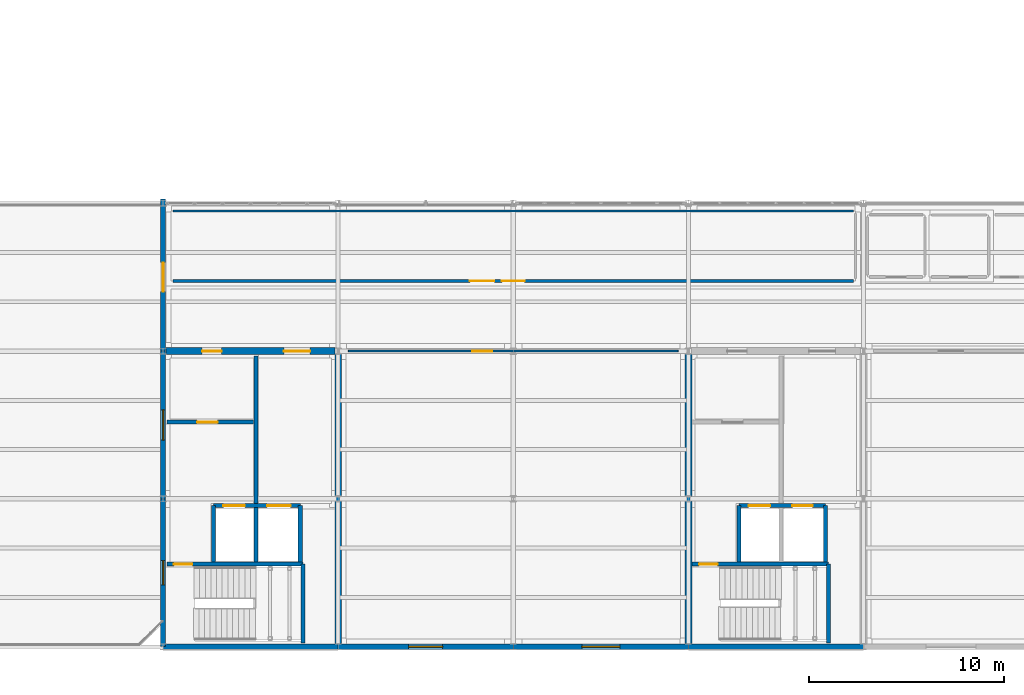
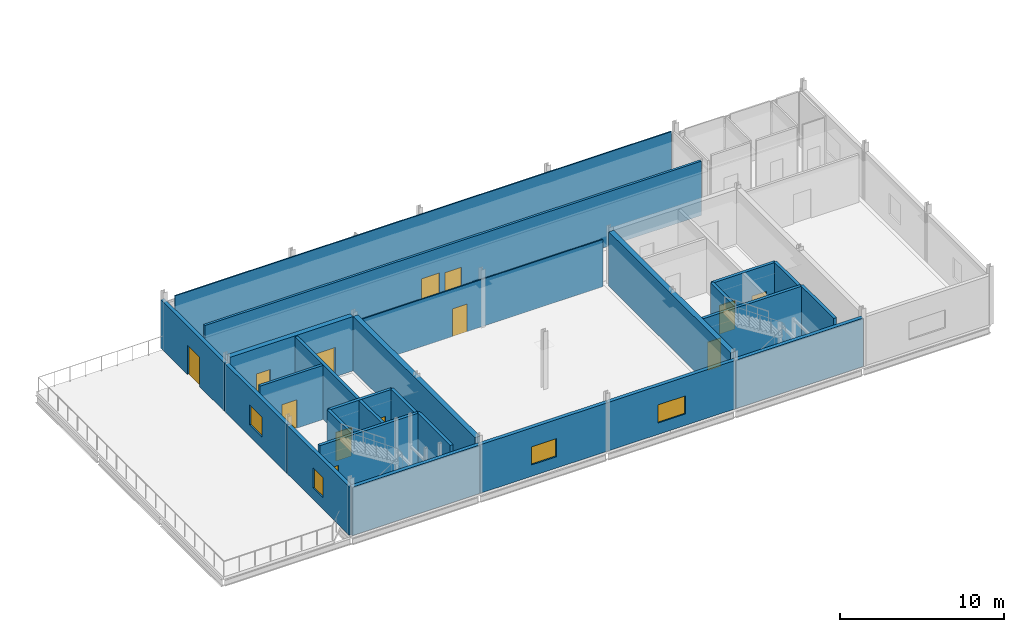
# One storey, part 41 of 48: 25 walls, 13 doors, 4 windows, 17 openings.
"""IFC4 building model written with IfcOpenShell, lengths in metres."""

from ifc_helpers import new_model, si_unit, direction, frame, frame_2d, origin, place, context, subcontext, project, spatial, rectangle, extrude, material, layer, layer_set, type_object, element, fill, save


model = new_model("IFC4")

# Units and contexts
model_context = context("Model", 3, precision=1e-05, world=origin(), true_north=direction((0.0, 1.0)))
body_context = subcontext(model_context, "Body", "Model", "MODEL_VIEW")
ifc_project = project(units=[si_unit("LENGTHUNIT", "METRE"), si_unit("AREAUNIT", "SQUARE_METRE"), si_unit("VOLUMEUNIT", "CUBIC_METRE"), si_unit("PLANEANGLEUNIT", "RADIAN"), si_unit("MASSUNIT", "GRAM", prefix="KILO")], contexts=[model_context])

# Site, building, storey
site_placement = place(None, origin())
site = spatial("IfcSite", under=ifc_project, at=site_placement, CompositionType="ELEMENT")
building_placement = place(site_placement, origin())
building = spatial("IfcBuilding", under=site, at=building_placement, Name="Caisbarro Railhouse Central Library", CompositionType="ELEMENT")
storey_placement = place(building_placement, frame((0.0, 0.0, 18.0)))
storey = spatial("IfcBuildingStorey", under=building, at=storey_placement, Name="L04", CompositionType="ELEMENT", Elevation=18.0)

# Wall, openings, doors
ifc_material_1 = material(Name="Concrete C40", Category="concrete")
ifc_layer_1 = layer(ifc_material_1, 0.35009765625, Name="Concrete C40")
ifc_layer_set_1 = layer_set([ifc_layer_1], Name="Concrete C40")
wall_type_1 = type_object("IfcWallType", Name="WAL-CW35", PredefinedType="SHEAR", material=ifc_layer_set_1)
wall_1_placement = place(storey_placement, frame((63.159912109375, 15.199951171875, 0.0), z_axis=(0.0, 0.0, 1.0), x_axis=(1.0, 0.0, 0.0)))
wall_1 = element("IfcWall", 1, at=wall_1_placement, inside=storey, type_object=wall_type_1, Name="CW35 RC core shear wall L04 #16", PredefinedType="SHEAR", context=body_context, shape_type="SweptSolid", body=[
    extrude(rectangle(XDim=8.68017578125, YDim=0.35009765625, at=frame_2d((4.340087890625, 0.0))), origin(), (0.0, 0.0, 1.0), 4.0400390625),
])
opening_1_placement = place(wall_1_placement, frame((1.85009765625, 0.0, 0.0)))
opening_1 = element("IfcOpeningElement", 2, at=opening_1_placement, cuts=wall_1, Name="Opening FD05", PredefinedType="OPENING", context=body_context, shape_type="SweptSolid", body=[
    extrude(rectangle(XDim=1.0, YDim=2.14990234375, at=frame_2d((0.5, 1.074951171875))), frame((0.0, 0.18505859375, 0.0), z_axis=(0.0, -1.0, 0.0), x_axis=(1.0, 0.0, 0.0)), (0.0, 0.0, 1.0), 0.3701171875),
])
opening_2_placement = place(wall_1_placement, frame((6.050048828125, 0.0, 0.0)))
opening_2 = element("IfcOpeningElement", 3, at=opening_2_placement, cuts=wall_1, Name="Opening FD06", PredefinedType="OPENING", context=body_context, shape_type="SweptSolid", body=[
    extrude(rectangle(XDim=1.35009765625, YDim=2.179931640625, at=frame_2d((0.675048828125, 1.08984375))), frame((0.0, 0.18505859375, 0.0), z_axis=(0.0, -1.0, 0.0), x_axis=(1.0, 0.0, 0.0)), (0.0, 0.0, 1.0), 0.3701171875),
])
ifc_material_2 = material(Name="Fire-rated painted galvanised steel", Category="steel")
door_type_1 = type_object("IfcDoorType", Name="DR-FD05", OperationType="NOTDEFINED", PredefinedType="DOOR", material=ifc_material_2)
door_1_placement = place(opening_1_placement, origin())
door_1 = element("IfcDoor", 4, at=door_1_placement, inside=storey, type_object=door_type_1, Name="Core K1 Vestibule Door FD05 L04-035", OperationType="SINGLE_SWING_LEFT", OverallHeight=2.14990234375, OverallWidth=1.0, PredefinedType="DOOR", context=body_context, shape_type="SweptSolid", body=[
    extrude(rectangle(XDim=1.0, YDim=2.14990234375, at=frame_2d((0.5, 1.074951171875))), frame((0.0, 0.02490234375, 0.0), z_axis=(0.0, -1.0, 0.0), x_axis=(1.0, 0.0, 0.0)), (0.0, 0.0, 1.0), 0.050048828125),
])
fill(opening_1, door_1)
door_type_2 = type_object("IfcDoorType", Name="DR-FD06", OperationType="NOTDEFINED", PredefinedType="DOOR", material=ifc_material_2)
door_2_placement = place(opening_2_placement, origin())
door_2 = element("IfcDoor", 5, at=door_2_placement, inside=storey, type_object=door_type_2, Name="Core K1 Lift Lobby Door FD06 L04-036", OperationType="SINGLE_SWING_RIGHT", OverallHeight=2.179931640625, OverallWidth=1.35009765625, PredefinedType="DOOR", context=body_context, shape_type="SweptSolid", body=[
    extrude(rectangle(XDim=1.35009765625, YDim=2.179931640625, at=frame_2d((0.675048828125, 1.08984375))), frame((0.0, 0.02490234375, 0.0), z_axis=(0.0, -1.0, 0.0), x_axis=(1.0, 0.0, 0.0)), (0.0, 0.0, 1.0), 0.050048828125),
])
fill(opening_2, door_2)

# Walls
for number, where, z_axis, x_axis, name in (
    (6, (72.0, 0.159912109375, 0.0), (0.0, 0.0, 1.0), (0.0, 1.0, 0.0), "CW35 RC core shear wall L04 #17"),
    (7, (90.0, 0.159912109375, 0.0), (0.0, 0.0, 1.0), (0.0, 1.0, 0.0), "CW35 RC core shear wall L04 #36"),
):
    element("IfcWall", number, at=place(storey_placement, frame(where, z_axis=z_axis, x_axis=x_axis)), inside=storey, type_object=wall_type_1, Name=name, PredefinedType="SHEAR", context=body_context, shape_type="SweptSolid", body=[
        extrude(rectangle(XDim=14.880126953125, YDim=0.35009765625, at=frame_2d((7.43994140625, 0.0))), origin(), (0.0, 0.0, 1.0), 4.0400390625),
    ])
ifc_material_3 = material(Name="Concrete C35 insulated architectural precast", Category="concrete")
ifc_layer_2 = layer(ifc_material_3, 0.260009765625, Name="Concrete C35 insulated architectural precast")
ifc_layer_set_2 = layer_set([ifc_layer_2], Name="Concrete C35 insulated architectural precast")
wall_type_2 = type_object("IfcWallType", Name="WAL-EW26", PredefinedType="STANDARD", material=ifc_layer_set_2)
wall_2_placement = place(storey_placement, frame((63.0, 0.0, 0.0), z_axis=(0.0, 0.0, 1.0), x_axis=(1.0, 0.0, 0.0)))
element("IfcWall", 8, at=wall_2_placement, inside=storey, type_object=wall_type_2, Name="EW26 exterior wall L04 #117", PredefinedType="STANDARD", context=body_context, shape_type="SweptSolid", body=[
    extrude(rectangle(XDim=9.0, YDim=0.260009765625, at=frame_2d((4.5, 0.0))), origin(), (0.0, 0.0, 1.0), 3.611083984375),
])

# Wall, opening, window
wall_3_placement = place(storey_placement, frame((72.0, 0.0, 0.0), z_axis=(0.0, 0.0, 1.0), x_axis=(1.0, 0.0, 0.0)))
wall_3 = element("IfcWall", 9, at=wall_3_placement, inside=storey, type_object=wall_type_2, Name="EW26 exterior wall L04 #118", PredefinedType="STANDARD", context=body_context, shape_type="SweptSolid", body=[
    extrude(rectangle(XDim=9.0, YDim=0.260009765625, at=frame_2d((4.5, 0.0))), origin(), (0.0, 0.0, 1.0), 3.611083984375),
])
opening_3_placement = place(wall_3_placement, frame((3.625, 0.0, 0.85009765625)))
opening_3 = element("IfcOpeningElement", 10, at=opening_3_placement, cuts=wall_3, Name="Opening W15", PredefinedType="OPENING", context=body_context, shape_type="SweptSolid", body=[
    extrude(rectangle(XDim=1.75, YDim=1.35009765625, at=frame_2d((0.875, 0.675048828125))), frame((0.0, 0.14013671875, 0.0), z_axis=(0.0, -1.0, 0.0), x_axis=(1.0, 0.0, 0.0)), (0.0, 0.0, 1.0), 0.280029296875),
])
ifc_material_4 = material(Name="Double low-e laminated solar-control glass", Category="glass")
window_type_1 = type_object("IfcWindowType", Name="WIN-W15", PartitioningType="SINGLE_PANEL", PredefinedType="WINDOW", material=ifc_material_4)
window_1_placement = place(opening_3_placement, origin())
window_1 = element("IfcWindow", 11, at=window_1_placement, inside=storey, type_object=window_type_1, Name="W15 window L04-037", OverallHeight=1.35009765625, OverallWidth=1.75, PartitioningType="SINGLE_PANEL", PredefinedType="WINDOW", context=body_context, shape_type="SweptSolid", body=[
    extrude(rectangle(XDim=1.75, YDim=1.35009765625, at=frame_2d((0.875, 0.675048828125))), frame((0.0, 0.030029296875, 0.0), z_axis=(0.0, -1.0, 0.0), x_axis=(1.0, 0.0, 0.0)), (0.0, 0.0, 1.0), 0.06005859375),
])
fill(opening_3, window_1)

wall_4_placement = place(storey_placement, frame((81.0, 0.0, 0.0), z_axis=(0.0, 0.0, 1.0), x_axis=(1.0, 0.0, 0.0)))
wall_4 = element("IfcWall", 12, at=wall_4_placement, inside=storey, type_object=wall_type_2, Name="EW26 exterior wall L04 #119", PredefinedType="STANDARD", context=body_context, shape_type="SweptSolid", body=[
    extrude(rectangle(XDim=9.0, YDim=0.260009765625, at=frame_2d((4.5, 0.0))), origin(), (0.0, 0.0, 1.0), 3.611083984375),
])
opening_4_placement = place(wall_4_placement, frame((3.52490234375, 0.0, 0.85009765625)))
opening_4 = element("IfcOpeningElement", 13, at=opening_4_placement, cuts=wall_4, Name="Opening W16", PredefinedType="OPENING", context=body_context, shape_type="SweptSolid", body=[
    extrude(rectangle(XDim=1.949951171875, YDim=1.35009765625, at=frame_2d((0.97509765625, 0.675048828125))), frame((0.0, 0.14013671875, 0.0), z_axis=(0.0, -1.0, 0.0), x_axis=(1.0, 0.0, 0.0)), (0.0, 0.0, 1.0), 0.280029296875),
])
window_type_2 = type_object("IfcWindowType", Name="WIN-W16", PartitioningType="SINGLE_PANEL", PredefinedType="WINDOW", material=ifc_material_4)
window_2_placement = place(opening_4_placement, origin())
window_2 = element("IfcWindow", 14, at=window_2_placement, inside=storey, type_object=window_type_2, Name="W16 window L04-038", OverallHeight=1.35009765625, OverallWidth=1.949951171875, PartitioningType="SINGLE_PANEL", PredefinedType="WINDOW", context=body_context, shape_type="SweptSolid", body=[
    extrude(rectangle(XDim=1.949951171875, YDim=1.35009765625, at=frame_2d((0.97509765625, 0.675048828125))), frame((0.0, 0.030029296875, 0.0), z_axis=(0.0, -1.0, 0.0), x_axis=(1.0, 0.0, 0.0)), (0.0, 0.0, 1.0), 0.06005859375),
])
fill(opening_4, window_2)

# Wall
wall_5_placement = place(storey_placement, frame((90.0, 0.0, 0.0), z_axis=(0.0, 0.0, 1.0), x_axis=(1.0, 0.0, 0.0)))
element("IfcWall", 15, at=wall_5_placement, inside=storey, type_object=wall_type_2, Name="EW26 exterior wall L04 #120", PredefinedType="STANDARD", context=body_context, shape_type="SweptSolid", body=[
    extrude(rectangle(XDim=9.0, YDim=0.260009765625, at=frame_2d((4.5, 0.0))), origin(), (0.0, 0.0, 1.0), 3.611083984375),
])

# Wall, opening, window
wall_6_placement = place(storey_placement, frame((63.0, 0.0, 0.0), z_axis=(0.0, 0.0, 1.0), x_axis=(0.0, 1.0, 0.0)))
wall_6 = element("IfcWall", 16, at=wall_6_placement, inside=storey, type_object=wall_type_2, Name="EW26 exterior wall L04 #123", PredefinedType="STANDARD", context=body_context, shape_type="SweptSolid", body=[
    extrude(rectangle(XDim=7.60009765625, YDim=0.260009765625, at=frame_2d((3.800048828125, 0.0))), origin(), (0.0, 0.0, 1.0), 3.59912109375),
])
opening_5_placement = place(wall_6_placement, frame((3.175048828125, 0.0, 0.85009765625)))
opening_5 = element("IfcOpeningElement", 17, at=opening_5_placement, cuts=wall_6, Name="Opening W20", PredefinedType="OPENING", context=body_context, shape_type="SweptSolid", body=[
    extrude(rectangle(XDim=1.25, YDim=1.5, at=frame_2d((0.625, 0.75))), frame((0.0, 0.14013671875, 0.0), z_axis=(0.0, -1.0, 0.0), x_axis=(1.0, 0.0, 0.0)), (0.0, 0.0, 1.0), 0.280029296875),
])
window_type_3 = type_object("IfcWindowType", Name="WIN-W20", PartitioningType="SINGLE_PANEL", PredefinedType="WINDOW", material=ifc_material_4)
window_3_placement = place(opening_5_placement, origin())
window_3 = element("IfcWindow", 18, at=window_3_placement, inside=storey, type_object=window_type_3, Name="W20 window L04-041", OverallHeight=1.5, OverallWidth=1.25, PartitioningType="SINGLE_PANEL", PredefinedType="WINDOW", context=body_context, shape_type="SweptSolid", body=[
    extrude(rectangle(XDim=1.25, YDim=1.5, at=frame_2d((0.625, 0.75))), frame((0.0, 0.030029296875, 0.0), z_axis=(0.0, -1.0, 0.0), x_axis=(1.0, 0.0, 0.0)), (0.0, 0.0, 1.0), 0.06005859375),
])
fill(opening_5, window_3)

wall_7_placement = place(storey_placement, frame((63.0, 7.60009765625, 0.0), z_axis=(0.0, 0.0, 1.0), x_axis=(0.0, 1.0, 0.0)))
wall_7 = element("IfcWall", 19, at=wall_7_placement, inside=storey, type_object=wall_type_2, Name="EW26 exterior wall L04 #125", PredefinedType="STANDARD", context=body_context, shape_type="SweptSolid", body=[
    extrude(rectangle(XDim=7.599853515625, YDim=0.260009765625, at=frame_2d((3.7998046875, 0.0))), origin(), (0.0, 0.0, 1.0), 3.59912109375),
])
opening_6_placement = place(wall_7_placement, frame((3.02490234375, 0.0, 0.85009765625)))
opening_6 = element("IfcOpeningElement", 20, at=opening_6_placement, cuts=wall_7, Name="Opening W22", PredefinedType="OPENING", context=body_context, shape_type="SweptSolid", body=[
    extrude(rectangle(XDim=1.550048828125, YDim=1.5, at=frame_2d((0.77490234375, 0.75))), frame((0.0, 0.14013671875, 0.0), z_axis=(0.0, -1.0, 0.0), x_axis=(1.0, 0.0, 0.0)), (0.0, 0.0, 1.0), 0.280029296875),
])
window_type_4 = type_object("IfcWindowType", Name="WIN-W22", PartitioningType="SINGLE_PANEL", PredefinedType="WINDOW", material=ifc_material_4)
window_4_placement = place(opening_6_placement, origin())
window_4 = element("IfcWindow", 21, at=window_4_placement, inside=storey, type_object=window_type_4, Name="W22 window L04-043", OverallHeight=1.5, OverallWidth=1.550048828125, PartitioningType="SINGLE_PANEL", PredefinedType="WINDOW", context=body_context, shape_type="SweptSolid", body=[
    extrude(rectangle(XDim=1.550048828125, YDim=1.5, at=frame_2d((0.77490234375, 0.75))), frame((0.0, 0.030029296875, 0.0), z_axis=(0.0, -1.0, 0.0), x_axis=(1.0, 0.0, 0.0)), (0.0, 0.0, 1.0), 0.06005859375),
])
fill(opening_6, window_4)

# Wall, opening, door
wall_8_placement = place(storey_placement, frame((63.0, 15.199951171875, 0.0), z_axis=(0.0, 0.0, 1.0), x_axis=(0.0, 1.0, 0.0)))
wall_8 = element("IfcWall", 22, at=wall_8_placement, inside=storey, type_object=wall_type_2, Name="EW26 exterior wall L04 #127", PredefinedType="STANDARD", context=body_context, shape_type="SweptSolid", body=[
    extrude(rectangle(XDim=7.81005859375, YDim=0.260009765625, at=frame_2d((3.905029296875, 0.0))), origin(), (0.0, 0.0, 1.0), 3.59912109375),
])
opening_7_placement = place(wall_8_placement, frame((3.050048828125, 0.0, 0.0)))
opening_7 = element("IfcOpeningElement", 23, at=opening_7_placement, cuts=wall_8, Name="Opening TD02", PredefinedType="OPENING", context=body_context, shape_type="SweptSolid", body=[
    extrude(rectangle(XDim=1.5, YDim=2.179931640625, at=frame_2d((0.75, 1.08984375))), frame((0.0, 0.14013671875, 0.0), z_axis=(0.0, -1.0, 0.0), x_axis=(1.0, 0.0, 0.0)), (0.0, 0.0, 1.0), 0.280029296875),
])
ifc_material_5 = material(Name="Thermally broken anodised aluminium and safety glass", Category="aluminium")
door_type_3 = type_object("IfcDoorType", Name="DR-TD02", OperationType="NOTDEFINED", PredefinedType="DOOR", material=ifc_material_5)
door_3_placement = place(opening_7_placement, origin())
door_3 = element("IfcDoor", 24, at=door_3_placement, inside=storey, type_object=door_type_3, Name="Terrace Door TD02 L04-23", OperationType="SINGLE_SWING_RIGHT", OverallHeight=2.179931640625, OverallWidth=1.5, PredefinedType="DOOR", context=body_context, shape_type="SweptSolid", body=[
    extrude(rectangle(XDim=1.5, YDim=2.179931640625, at=frame_2d((0.75, 1.08984375))), frame((0.0, 0.02490234375, 0.0), z_axis=(0.0, -1.0, 0.0), x_axis=(1.0, 0.0, 0.0)), (0.0, 0.0, 1.0), 0.050048828125),
])
fill(opening_7, door_3)

ifc_material_6 = material(Name="Acoustic gypsum board on galvanised steel studs", Category="steel")
ifc_layer_3 = layer(ifc_material_6, 0.090087890625, Name="Acoustic gypsum board on galvanised steel studs")
ifc_layer_set_3 = layer_set([ifc_layer_3], Name="Acoustic gypsum board on galvanised steel studs")
wall_type_3 = type_object("IfcWallType", Name="WAL-IW09", PredefinedType="PARTITIONING", material=ifc_layer_set_3)
wall_9_placement = place(storey_placement, frame((72.52001953125, 15.199951171875, 0.0), z_axis=(0.0, 0.0, 1.0), x_axis=(1.0, 0.0, 0.0)))
wall_9 = element("IfcWall", 25, at=wall_9_placement, inside=storey, type_object=wall_type_3, Name="IW09 partition wall L04 #604", PredefinedType="PARTITIONING", context=body_context, shape_type="SweptSolid", body=[
    extrude(rectangle(XDim=16.9599609375, YDim=0.090087890625, at=frame_2d((8.47998046875, 0.0))), origin(), (0.0, 0.0, 1.0), 3.52392578125),
])
opening_8_placement = place(wall_9_placement, frame((6.360107421875, 0.0, 0.0)))
opening_8 = element("IfcOpeningElement", 26, at=opening_8_placement, cuts=wall_9, Name="Opening ID05", PredefinedType="OPENING", context=body_context, shape_type="SweptSolid", body=[
    extrude(rectangle(XDim=1.0400390625, YDim=2.06005859375, at=frame_2d((0.52001953125, 1.030029296875))), frame((0.0, 0.05517578125, 0.0), z_axis=(0.0, -1.0, 0.0), x_axis=(1.0, 0.0, 0.0)), (0.0, 0.0, 1.0), 0.110107421875),
])
ifc_material_7 = material(Name="Solid-core tropical hardwood veneer", Category="wood")
door_type_4 = type_object("IfcDoorType", Name="DR-ID05", OperationType="NOTDEFINED", PredefinedType="DOOR", material=ifc_material_7)
door_4_placement = place(opening_8_placement, origin())
door_4 = element("IfcDoor", 27, at=door_4_placement, inside=storey, type_object=door_type_4, Name="Compact Mobile Shelving Hall Door ID05 L04-333", OperationType="SINGLE_SWING_LEFT", OverallHeight=2.06005859375, OverallWidth=1.0400390625, PredefinedType="DOOR", context=body_context, shape_type="SweptSolid", body=[
    extrude(rectangle(XDim=1.0400390625, YDim=2.06005859375, at=frame_2d((0.52001953125, 1.030029296875))), frame((0.0, 0.02490234375, 0.0), z_axis=(0.0, -1.0, 0.0), x_axis=(1.0, 0.0, 0.0)), (0.0, 0.0, 1.0), 0.050048828125),
])
fill(opening_8, door_4)

# Wall
wall_10_placement = place(storey_placement, frame((63.52001953125, 22.39990234375, 0.0), z_axis=(0.0, 0.0, 1.0), x_axis=(1.0, 0.0, 0.0)))
element("IfcWall", 28, at=wall_10_placement, inside=storey, type_object=wall_type_3, Name="IW09 partition wall L04 #608", PredefinedType="PARTITIONING", context=body_context, shape_type="SweptSolid", body=[
    extrude(rectangle(XDim=34.9599609375, YDim=0.090087890625, at=frame_2d((17.47998046875, 0.0))), origin(), (0.0, 0.0, 1.0), 4.0400390625),
])

# Wall, openings, doors
ifc_material_8 = material(Name="Plastered cellular concrete masonry", Category="masonry")
ifc_layer_4 = layer(ifc_material_8, 0.169921875, Name="Plastered cellular concrete masonry")
ifc_layer_set_4 = layer_set([ifc_layer_4], Name="Plastered cellular concrete masonry")
wall_type_4 = type_object("IfcWallType", Name="WAL-IW17", PredefinedType="PARTITIONING", material=ifc_layer_set_4)
wall_11_placement = place(storey_placement, frame((63.52001953125, 18.800048828125, 0.0), z_axis=(0.0, 0.0, 1.0), x_axis=(1.0, 0.0, 0.0)))
wall_11 = element("IfcWall", 29, at=wall_11_placement, inside=storey, type_object=wall_type_4, Name="IW17 partition wall L04 #606", PredefinedType="PARTITIONING", context=body_context, shape_type="SweptSolid", body=[
    extrude(rectangle(XDim=34.9599609375, YDim=0.169921875, at=frame_2d((17.47998046875, 0.0))), origin(), (0.0, 0.0, 1.0), 4.0400390625),
])
opening_9_placement = place(wall_11_placement, frame((16.889892578125, 0.0, 0.0)))
opening_9 = element("IfcOpeningElement", 30, at=opening_9_placement, cuts=wall_11, Name="Opening ID07", PredefinedType="OPENING", context=body_context, shape_type="SweptSolid", body=[
    extrude(rectangle(XDim=1.179931640625, YDim=2.06005859375, at=frame_2d((0.58984375, 1.030029296875))), frame((0.0, 0.094970703125, 0.0), z_axis=(0.0, -1.0, 0.0), x_axis=(1.0, 0.0, 0.0)), (0.0, 0.0, 1.0), 0.18994140625),
])
opening_10_placement = place(wall_11_placement, frame((15.2548828125, 0.0, 0.0)))
opening_10 = element("IfcOpeningElement", 31, at=opening_10_placement, cuts=wall_11, Name="Opening FD04", PredefinedType="OPENING", context=body_context, shape_type="SweptSolid", body=[
    extrude(rectangle(XDim=1.25, YDim=2.179931640625, at=frame_2d((0.625, 1.08984375))), frame((0.0, 0.094970703125, 0.0), z_axis=(0.0, -1.0, 0.0), x_axis=(1.0, 0.0, 0.0)), (0.0, 0.0, 1.0), 0.18994140625),
])
door_type_5 = type_object("IfcDoorType", Name="DR-FD04", OperationType="NOTDEFINED", PredefinedType="DOOR", material=ifc_material_2)
door_5_placement = place(opening_10_placement, origin())
door_5 = element("IfcDoor", 32, at=door_5_placement, inside=storey, type_object=door_type_5, Name="Compact Archive Corridor L04 Door FD04 L04-344", OperationType="SINGLE_SWING_RIGHT", OverallHeight=2.179931640625, OverallWidth=1.25, PredefinedType="DOOR", context=body_context, shape_type="SweptSolid", body=[
    extrude(rectangle(XDim=1.25, YDim=2.179931640625, at=frame_2d((0.625, 1.08984375))), frame((0.0, 0.02490234375, 0.0), z_axis=(0.0, -1.0, 0.0), x_axis=(1.0, 0.0, 0.0)), (0.0, 0.0, 1.0), 0.050048828125),
])
fill(opening_10, door_5)
door_type_6 = type_object("IfcDoorType", Name="DR-ID07", OperationType="NOTDEFINED", PredefinedType="DOOR", material=ifc_material_7)
door_6_placement = place(opening_9_placement, origin())
door_6 = element("IfcDoor", 33, at=door_6_placement, inside=storey, type_object=door_type_6, Name="Archival Appraisal Office Door ID07 L04-335", OperationType="SINGLE_SWING_LEFT", OverallHeight=2.06005859375, OverallWidth=1.179931640625, PredefinedType="DOOR", context=body_context, shape_type="SweptSolid", body=[
    extrude(rectangle(XDim=1.179931640625, YDim=2.06005859375, at=frame_2d((0.58984375, 1.030029296875))), frame((0.0, 0.02490234375, 0.0), z_axis=(0.0, -1.0, 0.0), x_axis=(1.0, 0.0, 0.0)), (0.0, 0.0, 1.0), 0.050048828125),
])
fill(opening_9, door_6)

# Wall, opening, door
ifc_layer_5 = layer(ifc_material_8, 0.18994140625, Name="Plastered cellular concrete masonry")
ifc_layer_set_5 = layer_set([ifc_layer_5], Name="Plastered cellular concrete masonry")
wall_type_5 = type_object("IfcWallType", Name="WAL-SW19", PredefinedType="SOLIDWALL", material=ifc_layer_set_5)
wall_12_placement = place(storey_placement, frame((63.199951171875, 11.550048828125, 0.0), z_axis=(0.0, 0.0, 1.0), x_axis=(1.0, 0.0, 0.0)))
wall_12 = element("IfcWall", 34, at=wall_12_placement, inside=storey, type_object=wall_type_5, Name="SW19 partition wall L04 #42", PredefinedType="SOLIDWALL", context=body_context, shape_type="SweptSolid", body=[
    extrude(rectangle(XDim=4.449951171875, YDim=0.18994140625, at=frame_2d((2.22509765625, 0.0))), origin(), (0.0, 0.0, 1.0), 4.0400390625),
])
opening_11_placement = place(wall_12_placement, frame((1.550048828125, 0.0, 0.0)))
opening_11 = element("IfcOpeningElement", 35, at=opening_11_placement, cuts=wall_12, Name="Opening FD02", PredefinedType="OPENING", context=body_context, shape_type="SweptSolid", body=[
    extrude(rectangle(XDim=1.050048828125, YDim=2.1201171875, at=frame_2d((0.52490234375, 1.06005859375))), frame((0.0, 0.10498046875, 0.0), z_axis=(0.0, -1.0, 0.0), x_axis=(1.0, 0.0, 0.0)), (0.0, 0.0, 1.0), 0.2099609375),
])
door_type_7 = type_object("IfcDoorType", Name="DR-FD02", OperationType="NOTDEFINED", PredefinedType="DOOR", material=ifc_material_2)
door_7_placement = place(opening_11_placement, origin())
door_7 = element("IfcDoor", 36, at=door_7_placement, inside=storey, type_object=door_type_7, Name="Firefighting Lobby K1 Door FD02 L04-034", OperationType="SINGLE_SWING_RIGHT", OverallHeight=2.1201171875, OverallWidth=1.050048828125, PredefinedType="DOOR", context=body_context, shape_type="SweptSolid", body=[
    extrude(rectangle(XDim=1.050048828125, YDim=2.1201171875, at=frame_2d((0.52490234375, 1.06005859375))), frame((0.0, 0.02490234375, 0.0), z_axis=(0.0, -1.0, 0.0), x_axis=(1.0, 0.0, 0.0)), (0.0, 0.0, 1.0), 0.050048828125),
])
fill(opening_11, door_7)

ifc_layer_6 = layer(ifc_material_1, 0.2099609375, Name="Concrete C40")
ifc_layer_set_6 = layer_set([ifc_layer_6], Name="Concrete C40")
wall_type_6 = type_object("IfcWallType", Name="WAL-SW21", PredefinedType="SOLIDWALL", material=ifc_layer_set_6)
wall_13_placement = place(storey_placement, frame((63.199951171875, 4.25, 0.0), z_axis=(0.0, 0.0, 1.0), x_axis=(1.0, 0.0, 0.0)))
wall_13 = element("IfcWall", 37, at=wall_13_placement, inside=storey, type_object=wall_type_6, Name="SW21 core shaft wall L04 #36", PredefinedType="SOLIDWALL", context=body_context, shape_type="SweptSolid", body=[
    extrude(rectangle(XDim=7.0, YDim=0.2099609375, at=frame_2d((3.5, 0.0))), origin(), (0.0, 0.0, 1.0), 4.0400390625),
])
opening_12_placement = place(wall_13_placement, frame((0.35009765625, 0.0, 0.0)))
opening_12 = element("IfcOpeningElement", 38, at=opening_12_placement, cuts=wall_13, Name="Opening FD01", PredefinedType="OPENING", context=body_context, shape_type="SweptSolid", body=[
    extrude(rectangle(XDim=0.949951171875, YDim=2.1201171875, at=frame_2d((0.47509765625, 1.06005859375))), frame((0.0, 0.114990234375, 0.0), z_axis=(0.0, -1.0, 0.0), x_axis=(1.0, 0.0, 0.0)), (0.0, 0.0, 1.0), 0.22998046875),
])
door_type_8 = type_object("IfcDoorType", Name="DR-FD01", OperationType="NOTDEFINED", PredefinedType="DOOR", material=ifc_material_2)
door_8_placement = place(opening_12_placement, origin())
door_8 = element("IfcDoor", 39, at=door_8_placement, inside=storey, type_object=door_type_8, Name="Stair ST-01 Fire Door FD01 L04-031", OperationType="SINGLE_SWING_LEFT", OverallHeight=2.1201171875, OverallWidth=0.949951171875, PredefinedType="DOOR", context=body_context, shape_type="SweptSolid", body=[
    extrude(rectangle(XDim=0.949951171875, YDim=2.1201171875, at=frame_2d((0.47509765625, 1.06005859375))), frame((0.0, 0.02490234375, 0.0), z_axis=(0.0, -1.0, 0.0), x_axis=(1.0, 0.0, 0.0)), (0.0, 0.0, 1.0), 0.050048828125),
])
fill(opening_12, door_8)

# Walls
wall_14_placement = place(storey_placement, frame((70.199951171875, 0.199951171875, 0.0), z_axis=(0.0, 0.0, 1.0), x_axis=(0.0, 1.0, 0.0)))
element("IfcWall", 40, at=wall_14_placement, inside=storey, type_object=wall_type_6, Name="SW21 core shaft wall L04 #37", PredefinedType="SOLIDWALL", context=body_context, shape_type="SweptSolid", body=[
    extrude(rectangle(XDim=4.050048828125, YDim=0.2099609375, at=frame_2d((2.02490234375, 0.0))), origin(), (0.0, 0.0, 1.0), 4.0400390625),
])
wall_15_placement = place(storey_placement, frame((65.60009765625, 4.35009765625, 0.0), z_axis=(0.0, 0.0, 1.0), x_axis=(0.0, 1.0, 0.0)))
element("IfcWall", 41, at=wall_15_placement, inside=storey, type_object=wall_type_6, Name="SW21 core shaft wall L04 #38", PredefinedType="SOLIDWALL", context=body_context, shape_type="SweptSolid", body=[
    extrude(rectangle(XDim=2.89990234375, YDim=0.2099609375, at=frame_2d((1.449951171875, 0.0))), origin(), (0.0, 0.0, 1.0), 4.0400390625),
])
wall_16_placement = place(storey_placement, frame((67.77001953125, 4.35009765625, 0.0), z_axis=(0.0, 0.0, 1.0), x_axis=(0.0, 1.0, 0.0)))
element("IfcWall", 42, at=wall_16_placement, inside=storey, type_object=wall_type_6, Name="SW21 core shaft wall L04 #39", PredefinedType="SOLIDWALL", context=body_context, shape_type="SweptSolid", body=[
    extrude(rectangle(XDim=10.599853515625, YDim=0.2099609375, at=frame_2d((5.2998046875, 0.0))), origin(), (0.0, 0.0, 1.0), 4.0400390625),
])
wall_17_placement = place(storey_placement, frame((70.050048828125, 4.35009765625, 0.0), z_axis=(0.0, 0.0, 1.0), x_axis=(0.0, 1.0, 0.0)))
element("IfcWall", 43, at=wall_17_placement, inside=storey, type_object=wall_type_6, Name="SW21 core shaft wall L04 #40", PredefinedType="SOLIDWALL", context=body_context, shape_type="SweptSolid", body=[
    extrude(rectangle(XDim=2.89990234375, YDim=0.2099609375, at=frame_2d((1.449951171875, 0.0))), origin(), (0.0, 0.0, 1.0), 4.0400390625),
])

# Wall, openings, doors
wall_18_placement = place(storey_placement, frame((65.60009765625, 7.25, 0.0), z_axis=(0.0, 0.0, 1.0), x_axis=(1.0, 0.0, 0.0)))
wall_18 = element("IfcWall", 44, at=wall_18_placement, inside=storey, type_object=wall_type_6, Name="SW21 core shaft wall L04 #41", PredefinedType="SOLIDWALL", context=body_context, shape_type="SweptSolid", body=[
    extrude(rectangle(XDim=4.449951171875, YDim=0.2099609375, at=frame_2d((2.22509765625, 0.0))), origin(), (0.0, 0.0, 1.0), 4.0400390625),
])
opening_13_placement = place(wall_18_placement, frame((0.5, 0.0, 0.0)))
opening_13 = element("IfcOpeningElement", 45, at=opening_13_placement, cuts=wall_18, Name="Opening LD01", PredefinedType="OPENING", context=body_context, shape_type="SweptSolid", body=[
    extrude(rectangle(XDim=1.10009765625, YDim=2.139892578125, at=frame_2d((0.550048828125, 1.06982421875))), frame((0.0, 0.114990234375, 0.0), z_axis=(0.0, -1.0, 0.0), x_axis=(1.0, 0.0, 0.0)), (0.0, 0.0, 1.0), 0.22998046875),
])
opening_14_placement = place(wall_18_placement, frame((2.75, 0.0, 0.0)))
opening_14 = element("IfcOpeningElement", 46, at=opening_14_placement, cuts=wall_18, Name="Opening LD03", PredefinedType="OPENING", context=body_context, shape_type="SweptSolid", body=[
    extrude(rectangle(XDim=1.199951171875, YDim=2.179931640625, at=frame_2d((0.60009765625, 1.08984375))), frame((0.0, 0.114990234375, 0.0), z_axis=(0.0, -1.0, 0.0), x_axis=(1.0, 0.0, 0.0)), (0.0, 0.0, 1.0), 0.22998046875),
])
ifc_material_9 = material(Name="Brushed stainless steel elevator cab", Category="steel")
door_type_9 = type_object("IfcDoorType", Name="DR-LD01", OperationType="NOTDEFINED", PredefinedType="DOOR", material=ifc_material_9)
door_9_placement = place(opening_13_placement, origin())
door_9 = element("IfcDoor", 47, at=door_9_placement, inside=storey, type_object=door_type_9, Name="Lift FL-01 Landing Door LD01 L04-032", OperationType="SLIDING_TO_LEFT", OverallHeight=2.139892578125, OverallWidth=1.10009765625, PredefinedType="DOOR", context=body_context, shape_type="SweptSolid", body=[
    extrude(rectangle(XDim=1.10009765625, YDim=2.139892578125, at=frame_2d((0.550048828125, 1.06982421875))), frame((0.0, 0.02490234375, 0.0), z_axis=(0.0, -1.0, 0.0), x_axis=(1.0, 0.0, 0.0)), (0.0, 0.0, 1.0), 0.050048828125),
])
fill(opening_13, door_9)
door_type_10 = type_object("IfcDoorType", Name="DR-LD03", OperationType="NOTDEFINED", PredefinedType="DOOR", material=ifc_material_9)
door_10_placement = place(opening_14_placement, origin())
door_10 = element("IfcDoor", 48, at=door_10_placement, inside=storey, type_object=door_type_10, Name="Lift BL-01 Landing Door LD03 L04-033", OperationType="SLIDING_TO_LEFT", OverallHeight=2.179931640625, OverallWidth=1.199951171875, PredefinedType="DOOR", context=body_context, shape_type="SweptSolid", body=[
    extrude(rectangle(XDim=1.199951171875, YDim=2.179931640625, at=frame_2d((0.60009765625, 1.08984375))), frame((0.0, 0.02490234375, 0.0), z_axis=(0.0, -1.0, 0.0), x_axis=(1.0, 0.0, 0.0)), (0.0, 0.0, 1.0), 0.050048828125),
])
fill(opening_14, door_10)

# Wall, opening, door
wall_19_placement = place(storey_placement, frame((90.199951171875, 4.25, 0.0), z_axis=(0.0, 0.0, 1.0), x_axis=(1.0, 0.0, 0.0)))
wall_19 = element("IfcWall", 49, at=wall_19_placement, inside=storey, type_object=wall_type_6, Name="SW21 core shaft wall L04 #85", PredefinedType="SOLIDWALL", context=body_context, shape_type="SweptSolid", body=[
    extrude(rectangle(XDim=7.0, YDim=0.2099609375, at=frame_2d((3.5, 0.0))), origin(), (0.0, 0.0, 1.0), 4.0400390625),
])
opening_15_placement = place(wall_19_placement, frame((0.35009765625, 0.0, 0.0)))
opening_15 = element("IfcOpeningElement", 50, at=opening_15_placement, cuts=wall_19, Name="Opening FD01", PredefinedType="OPENING", context=body_context, shape_type="SweptSolid", body=[
    extrude(rectangle(XDim=0.949951171875, YDim=2.1201171875, at=frame_2d((0.47509765625, 1.06005859375))), frame((0.0, 0.114990234375, 0.0), z_axis=(0.0, -1.0, 0.0), x_axis=(1.0, 0.0, 0.0)), (0.0, 0.0, 1.0), 0.22998046875),
])
door_11_placement = place(opening_15_placement, origin())
door_11 = element("IfcDoor", 51, at=door_11_placement, inside=storey, type_object=door_type_8, Name="Stair ST-02 Fire Door FD01 L04-073", OperationType="SINGLE_SWING_LEFT", OverallHeight=2.1201171875, OverallWidth=0.949951171875, PredefinedType="DOOR", context=body_context, shape_type="SweptSolid", body=[
    extrude(rectangle(XDim=0.949951171875, YDim=2.1201171875, at=frame_2d((0.47509765625, 1.06005859375))), frame((0.0, 0.02490234375, 0.0), z_axis=(0.0, -1.0, 0.0), x_axis=(1.0, 0.0, 0.0)), (0.0, 0.0, 1.0), 0.050048828125),
])
fill(opening_15, door_11)

# Walls
wall_20_placement = place(storey_placement, frame((97.199951171875, 0.199951171875, 0.0), z_axis=(0.0, 0.0, 1.0), x_axis=(0.0, 1.0, 0.0)))
element("IfcWall", 52, at=wall_20_placement, inside=storey, type_object=wall_type_6, Name="SW21 core shaft wall L04 #86", PredefinedType="SOLIDWALL", context=body_context, shape_type="SweptSolid", body=[
    extrude(rectangle(XDim=4.050048828125, YDim=0.2099609375, at=frame_2d((2.02490234375, 0.0))), origin(), (0.0, 0.0, 1.0), 4.0400390625),
])
for number, where, z_axis, x_axis, name in (
    (53, (92.60009765625, 4.35009765625, 0.0), (0.0, 0.0, 1.0), (0.0, 1.0, 0.0), "SW21 core shaft wall L04 #87"),
    (54, (97.050048828125, 4.35009765625, 0.0), (0.0, 0.0, 1.0), (0.0, 1.0, 0.0), "SW21 core shaft wall L04 #89"),
):
    element("IfcWall", number, at=place(storey_placement, frame(where, z_axis=z_axis, x_axis=x_axis)), inside=storey, type_object=wall_type_6, Name=name, PredefinedType="SOLIDWALL", context=body_context, shape_type="SweptSolid", body=[
        extrude(rectangle(XDim=2.89990234375, YDim=0.2099609375, at=frame_2d((1.449951171875, 0.0))), origin(), (0.0, 0.0, 1.0), 4.0400390625),
    ])

# Wall, openings, doors
wall_21_placement = place(storey_placement, frame((92.60009765625, 7.25, 0.0), z_axis=(0.0, 0.0, 1.0), x_axis=(1.0, 0.0, 0.0)))
wall_21 = element("IfcWall", 55, at=wall_21_placement, inside=storey, type_object=wall_type_6, Name="SW21 core shaft wall L04 #90", PredefinedType="SOLIDWALL", context=body_context, shape_type="SweptSolid", body=[
    extrude(rectangle(XDim=4.449951171875, YDim=0.2099609375, at=frame_2d((2.22509765625, 0.0))), origin(), (0.0, 0.0, 1.0), 4.0400390625),
])
opening_16_placement = place(wall_21_placement, frame((0.5, 0.0, 0.0)))
opening_16 = element("IfcOpeningElement", 56, at=opening_16_placement, cuts=wall_21, Name="Opening LD01", PredefinedType="OPENING", context=body_context, shape_type="SweptSolid", body=[
    extrude(rectangle(XDim=1.10009765625, YDim=2.139892578125, at=frame_2d((0.550048828125, 1.06982421875))), frame((0.0, 0.114990234375, 0.0), z_axis=(0.0, -1.0, 0.0), x_axis=(1.0, 0.0, 0.0)), (0.0, 0.0, 1.0), 0.22998046875),
])
opening_17_placement = place(wall_21_placement, frame((2.75, 0.0, 0.0)))
opening_17 = element("IfcOpeningElement", 57, at=opening_17_placement, cuts=wall_21, Name="Opening LD02", PredefinedType="OPENING", context=body_context, shape_type="SweptSolid", body=[
    extrude(rectangle(XDim=1.0400390625, YDim=2.10009765625, at=frame_2d((0.52001953125, 1.050048828125))), frame((0.0, 0.114990234375, 0.0), z_axis=(0.0, -1.0, 0.0), x_axis=(1.0, 0.0, 0.0)), (0.0, 0.0, 1.0), 0.22998046875),
])
door_12_placement = place(opening_16_placement, origin())
door_12 = element("IfcDoor", 58, at=door_12_placement, inside=storey, type_object=door_type_9, Name="Lift FL-02 Landing Door LD01 L04-074", OperationType="SLIDING_TO_LEFT", OverallHeight=2.139892578125, OverallWidth=1.10009765625, PredefinedType="DOOR", context=body_context, shape_type="SweptSolid", body=[
    extrude(rectangle(XDim=1.10009765625, YDim=2.139892578125, at=frame_2d((0.550048828125, 1.06982421875))), frame((0.0, 0.02490234375, 0.0), z_axis=(0.0, -1.0, 0.0), x_axis=(1.0, 0.0, 0.0)), (0.0, 0.0, 1.0), 0.050048828125),
])
fill(opening_16, door_12)
door_type_11 = type_object("IfcDoorType", Name="DR-LD02", OperationType="NOTDEFINED", PredefinedType="DOOR", material=ifc_material_9)
door_13_placement = place(opening_17_placement, origin())
door_13 = element("IfcDoor", 59, at=door_13_placement, inside=storey, type_object=door_type_11, Name="Lift PL-01 Landing Door LD02 L04-075", OperationType="SLIDING_TO_LEFT", OverallHeight=2.10009765625, OverallWidth=1.0400390625, PredefinedType="DOOR", context=body_context, shape_type="SweptSolid", body=[
    extrude(rectangle(XDim=1.0400390625, YDim=2.10009765625, at=frame_2d((0.52001953125, 1.050048828125))), frame((0.0, 0.02490234375, 0.0), z_axis=(0.0, -1.0, 0.0), x_axis=(1.0, 0.0, 0.0)), (0.0, 0.0, 1.0), 0.050048828125),
])
fill(opening_17, door_13)

save(model, "model.ifc")
